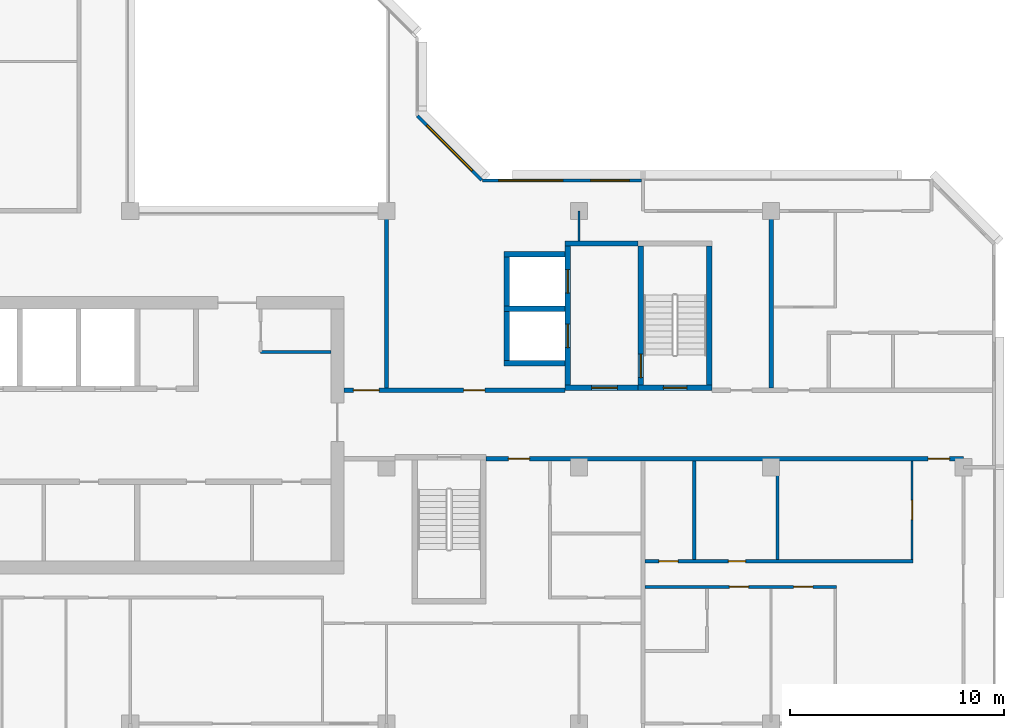
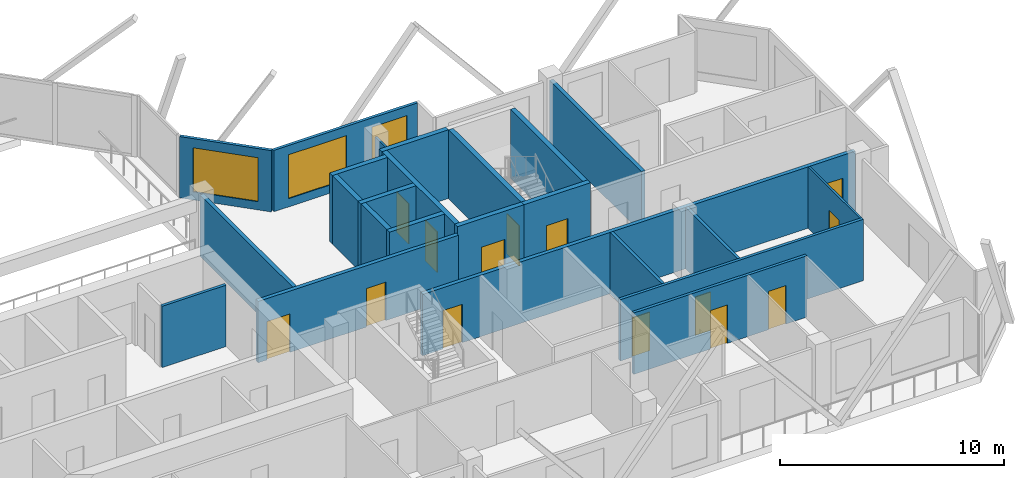
# One storey, part 7 of 13: 24 walls, 14 doors, 3 windows, 17 openings.
"""IFC4 building model written with IfcOpenShell, lengths in metres."""

from ifc_helpers import new_model, si_unit, direction, frame, frame_2d, origin, place, context, subcontext, project, spatial, rectangle, extrude, material, layer, layer_set, type_object, element, fill, save


model = new_model("IFC4")

# Units and contexts
model_context = context("Model", 3, precision=1e-05, world=origin(), true_north=direction((0.0, 1.0)))
body_context = subcontext(model_context, "Body", "Model", "MODEL_VIEW")
ifc_project = project(units=[si_unit("LENGTHUNIT", "METRE"), si_unit("AREAUNIT", "SQUARE_METRE"), si_unit("VOLUMEUNIT", "CUBIC_METRE"), si_unit("PLANEANGLEUNIT", "RADIAN"), si_unit("MASSUNIT", "GRAM", prefix="KILO")], contexts=[model_context])

# Site, building, storey
site_placement = place(None, origin())
site = spatial("IfcSite", under=ifc_project, at=site_placement, CompositionType="ELEMENT")
building_placement = place(site_placement, origin())
building = spatial("IfcBuilding", under=site, at=building_placement, Name="Chenar Terraces", CompositionType="ELEMENT")
storey_placement = place(building_placement, frame((0.0, 0.0, 303.39990234375)))
storey = spatial("IfcBuildingStorey", under=building, at=storey_placement, Name="L71", CompositionType="ELEMENT", Elevation=303.39990234375)

# Wall
ifc_material_1 = material(Name="Gypsum board on steel studs", Category="steel")
ifc_layer_1 = layer(ifc_material_1, 0.14990234375)
ifc_layer_set_1 = layer_set([ifc_layer_1], Name="Gypsum board on steel studs")
wall_type_1 = type_object("IfcWallType", Name="Core partition 150 gypsum board", PredefinedType="PARTITIONING", material=ifc_layer_set_1)
wall_1_placement = place(storey_placement, frame((30.10009765625, 17.39990234375, 0.0), z_axis=(0.0, 0.0, 1.0), x_axis=(1.0, 0.0, 0.0)))
element("IfcWall", 1, at=wall_1_placement, inside=storey, type_object=wall_type_1, Name="Core partition CP1 vestibule room south wall", PredefinedType="PARTITIONING", context=body_context, shape_type="SweptSolid", body=[
    extrude(rectangle(XDim=3.2998046875, YDim=0.14990234375, at=frame_2d((1.64990234375, 0.0))), origin(), (0.0, 0.0, 1.0), 3.35009765625),
])

# Wall, opening, door
ifc_material_2 = material(Name="Concrete C50/60", Category="concrete")
ifc_layer_2 = layer(ifc_material_2, 0.25)
ifc_layer_set_2 = layer_set([ifc_layer_2], Name="Concrete C50/60")
wall_type_2 = type_object("IfcWallType", Name="Core wall 250 Concrete C50/60", PredefinedType="SHEAR", material=ifc_layer_set_2)
wall_2_placement = place(storey_placement, frame((47.77490234375, 15.72509765625, 0.0), z_axis=(0.0, 0.0, 1.0), x_axis=(1.0, 0.0, 0.0)))
wall_2 = element("IfcWall", 2, at=wall_2_placement, inside=storey, type_object=wall_type_2, Name="Core wall ST3_S L71", PredefinedType="SHEAR", context=body_context, shape_type="SweptSolid", body=[
    extrude(rectangle(XDim=3.4501953125, YDim=0.25, at=frame_2d((1.72509765625, 0.0))), origin(), (0.0, 0.0, 1.0), 3.75),
])
opening_1_placement = place(wall_2_placement, frame((1.175048828125, 0.0, 0.0)))
opening_1 = element("IfcOpeningElement", 3, at=opening_1_placement, cuts=wall_2, Name="Opening DL71-C8", PredefinedType="OPENING", context=body_context, shape_type="SweptSolid", body=[
    extrude(rectangle(XDim=1.10009765625, YDim=2.199951171875, at=frame_2d((0.550048828125, 1.10009765625))), frame((0.0, 0.135009765625, 0.0), z_axis=(0.0, -1.0, 0.0), x_axis=(1.0, 0.0, 0.0)), (0.0, 0.0, 1.0), 0.27001953125),
])
ifc_material_3 = material(Name="Steel-framed fire-resisting door leaf", Category="steel")
door_type_1 = type_object("IfcDoorType", Name="Stair fire door FD60 1100 x 2200", OperationType="SINGLE_SWING_LEFT", PredefinedType="DOOR", material=ifc_material_3)
door_1_placement = place(opening_1_placement, frame((1.10009765625, 0.0, 0.0), z_axis=(0.0, 0.0, 1.0), x_axis=(-1.0, 0.0, 0.0)))
door_1 = element("IfcDoor", 4, at=door_1_placement, inside=storey, type_object=door_type_1, Name="Stair door DL71-C8", OperationType="SINGLE_SWING_LEFT", OverallHeight=2.199951171875, OverallWidth=1.10009765625, PredefinedType="DOOR", context=body_context, shape_type="SweptSolid", body=[
    extrude(rectangle(XDim=1.10009765625, YDim=2.199951171875, at=frame_2d((0.550048828125, 1.10009765625))), frame((0.0, 0.02490234375, 0.0), z_axis=(0.0, -1.0, 0.0), x_axis=(1.0, 0.0, 0.0)), (0.0, 0.0, 1.0), 0.050048828125),
])
fill(opening_1, door_1)

wall_3_placement = place(storey_placement, frame((47.89990234375, 15.85009765625, 0.0), z_axis=(0.0, 0.0, 1.0), x_axis=(0.0, 1.0, 0.0)))
wall_3 = element("IfcWall", 5, at=wall_3_placement, inside=storey, type_object=wall_type_2, Name="Core wall ST3_W L71", PredefinedType="SHEAR", context=body_context, shape_type="SweptSolid", body=[
    extrude(rectangle(XDim=6.5, YDim=0.25, at=frame_2d((3.25, 0.0))), origin(), (0.0, 0.0, 1.0), 3.75),
])
opening_2_placement = place(wall_3_placement, frame((0.35009765625, 0.0, 0.0)))
opening_2 = element("IfcOpeningElement", 6, at=opening_2_placement, cuts=wall_3, Name="Opening DL71-C11", PredefinedType="OPENING", context=body_context, shape_type="SweptSolid", body=[
    extrude(rectangle(XDim=1.10009765625, YDim=2.199951171875, at=frame_2d((0.550048828125, 1.10009765625))), frame((0.0, 0.135009765625, 0.0), z_axis=(0.0, -1.0, 0.0), x_axis=(1.0, 0.0, 0.0)), (0.0, 0.0, 1.0), 0.27001953125),
])
door_2_placement = place(opening_2_placement, frame((1.10009765625, 0.0, 0.0), z_axis=(0.0, 0.0, 1.0), x_axis=(-1.0, 0.0, 0.0)))
door_2 = element("IfcDoor", 7, at=door_2_placement, inside=storey, type_object=door_type_1, Name="Stair door DL71-C11", OperationType="SINGLE_SWING_RIGHT", OverallHeight=2.199951171875, OverallWidth=1.10009765625, PredefinedType="DOOR", context=body_context, shape_type="SweptSolid", body=[
    extrude(rectangle(XDim=1.10009765625, YDim=2.199951171875, at=frame_2d((0.550048828125, 1.10009765625))), frame((0.0, 0.02490234375, 0.0), z_axis=(0.0, -1.0, 0.0), x_axis=(1.0, 0.0, 0.0)), (0.0, 0.0, 1.0), 0.050048828125),
])
fill(opening_2, door_2)

# Wall
wall_4_placement = place(storey_placement, frame((51.10009765625, 15.85009765625, 0.0), z_axis=(0.0, 0.0, 1.0), x_axis=(0.0, 1.0, 0.0)))
element("IfcWall", 8, at=wall_4_placement, inside=storey, type_object=wall_type_2, Name="Core wall ST3_E L71", PredefinedType="SHEAR", context=body_context, shape_type="SweptSolid", body=[
    extrude(rectangle(XDim=6.5, YDim=0.25, at=frame_2d((3.25, 0.0))), origin(), (0.0, 0.0, 1.0), 3.75),
])

# Wall, opening, door
wall_5_placement = place(storey_placement, frame((44.35009765625, 15.72509765625, 0.0), z_axis=(0.0, 0.0, 1.0), x_axis=(1.0, 0.0, 0.0)))
wall_5 = element("IfcWall", 9, at=wall_5_placement, inside=storey, type_object=wall_type_2, Name="Core wall F3_LS L71", PredefinedType="SHEAR", context=body_context, shape_type="SweptSolid", body=[
    extrude(rectangle(XDim=3.4248046875, YDim=0.25, at=frame_2d((1.71240234375, 0.0))), origin(), (0.0, 0.0, 1.0), 3.75),
])
opening_3_placement = place(wall_5_placement, frame((1.25, 0.0, 0.0)))
opening_3 = element("IfcOpeningElement", 10, at=opening_3_placement, cuts=wall_5, Name="Opening DL71-C10", PredefinedType="OPENING", context=body_context, shape_type="SweptSolid", body=[
    extrude(rectangle(XDim=1.199951171875, YDim=2.199951171875, at=frame_2d((0.60009765625, 1.10009765625))), frame((0.0, 0.135009765625, 0.0), z_axis=(0.0, -1.0, 0.0), x_axis=(1.0, 0.0, 0.0)), (0.0, 0.0, 1.0), 0.27001953125),
])
ifc_material_4 = material(Name="Steel-framed fire-resisting door leaf", Category="steel")
door_type_2 = type_object("IfcDoorType", Name="Lobby fire door FD60 1200 x 2200", OperationType="SINGLE_SWING_LEFT", PredefinedType="DOOR", material=ifc_material_4)
door_3_placement = place(opening_3_placement, origin())
door_3 = element("IfcDoor", 11, at=door_3_placement, inside=storey, type_object=door_type_2, Name="Core door DL71-C10", OperationType="SINGLE_SWING_RIGHT", OverallHeight=2.199951171875, OverallWidth=1.199951171875, PredefinedType="DOOR", context=body_context, shape_type="SweptSolid", body=[
    extrude(rectangle(XDim=1.199951171875, YDim=2.199951171875, at=frame_2d((0.60009765625, 1.10009765625))), frame((0.0, 0.02490234375, 0.0), z_axis=(0.0, -1.0, 0.0), x_axis=(1.0, 0.0, 0.0)), (0.0, 0.0, 1.0), 0.050048828125),
])
fill(opening_3, door_3)

# Wall
wall_6_placement = place(storey_placement, frame((44.35009765625, 22.47509765625, 0.0), z_axis=(0.0, 0.0, 1.0), x_axis=(1.0, 0.0, 0.0)))
element("IfcWall", 12, at=wall_6_placement, inside=storey, type_object=wall_type_2, Name="Core wall F3_LN L71", PredefinedType="SHEAR", context=body_context, shape_type="SweptSolid", body=[
    extrude(rectangle(XDim=3.4248046875, YDim=0.25, at=frame_2d((1.71240234375, 0.0))), origin(), (0.0, 0.0, 1.0), 3.75),
])

# Wall, openings, doors
wall_7_placement = place(storey_placement, frame((44.47509765625, 15.85009765625, 0.0), z_axis=(0.0, 0.0, 1.0), x_axis=(0.0, 1.0, 0.0)))
wall_7 = element("IfcWall", 13, at=wall_7_placement, inside=storey, type_object=wall_type_2, Name="Core wall F3_LW L71", PredefinedType="SHEAR", context=body_context, shape_type="SweptSolid", body=[
    extrude(rectangle(XDim=6.5, YDim=0.25, at=frame_2d((3.25, 0.0))), origin(), (0.0, 0.0, 1.0), 3.75),
])
opening_4_placement = place(wall_7_placement, frame((1.75, 0.0, 0.0)))
opening_4 = element("IfcOpeningElement", 14, at=opening_4_placement, cuts=wall_7, Name="Opening DL71-LD8", PredefinedType="OPENING", context=body_context, shape_type="SweptSolid", body=[
    extrude(rectangle(XDim=1.10009765625, YDim=2.199951171875, at=frame_2d((0.550048828125, 1.10009765625))), frame((0.0, 0.135009765625, 0.0), z_axis=(0.0, -1.0, 0.0), x_axis=(1.0, 0.0, 0.0)), (0.0, 0.0, 1.0), 0.27001953125),
])
opening_5_placement = place(wall_7_placement, frame((4.300048828125, 0.0, 0.0)))
opening_5 = element("IfcOpeningElement", 15, at=opening_5_placement, cuts=wall_7, Name="Opening DL71-LD9", PredefinedType="OPENING", context=body_context, shape_type="SweptSolid", body=[
    extrude(rectangle(XDim=1.10009765625, YDim=2.199951171875, at=frame_2d((0.550048828125, 1.10009765625))), frame((0.0, 0.135009765625, 0.0), z_axis=(0.0, -1.0, 0.0), x_axis=(1.0, 0.0, 0.0)), (0.0, 0.0, 1.0), 0.27001953125),
])
ifc_material_5 = material(Name="Stainless steel", Category="steel")
door_type_3 = type_object("IfcDoorType", Name="Lift landing door 1100 x 2200 sliding", OperationType="DOUBLE_DOOR_SLIDING", PredefinedType="DOOR", material=ifc_material_5)
door_4_placement = place(opening_4_placement, origin())
door_4 = element("IfcDoor", 16, at=door_4_placement, inside=storey, type_object=door_type_3, Name="Landing door F3", OperationType="DOUBLE_DOOR_SLIDING", OverallHeight=2.199951171875, OverallWidth=1.10009765625, PredefinedType="DOOR", context=body_context, shape_type="SweptSolid", body=[
    extrude(rectangle(XDim=1.10009765625, YDim=2.199951171875, at=frame_2d((0.550048828125, 1.10009765625))), frame((0.0, 0.02490234375, 0.0), z_axis=(0.0, -1.0, 0.0), x_axis=(1.0, 0.0, 0.0)), (0.0, 0.0, 1.0), 0.050048828125),
])
fill(opening_4, door_4)
door_5_placement = place(opening_5_placement, origin())
door_5 = element("IfcDoor", 17, at=door_5_placement, inside=storey, type_object=door_type_3, Name="Landing door F4", OperationType="DOUBLE_DOOR_SLIDING", OverallHeight=2.199951171875, OverallWidth=1.10009765625, PredefinedType="DOOR", context=body_context, shape_type="SweptSolid", body=[
    extrude(rectangle(XDim=1.10009765625, YDim=2.199951171875, at=frame_2d((0.550048828125, 1.10009765625))), frame((0.0, 0.02490234375, 0.0), z_axis=(0.0, -1.0, 0.0), x_axis=(1.0, 0.0, 0.0)), (0.0, 0.0, 1.0), 0.050048828125),
])
fill(opening_5, door_5)

# Walls
for number, where, z_axis, x_axis, name in (
    (18, (41.5, 16.875, 0.0), (0.0, 0.0, 1.0), (1.0, 0.0, 0.0), "Core wall F3_SS L71"),
    (19, (41.5, 19.425048828125, 0.0), (0.0, 0.0, 1.0), (1.0, 0.0, 0.0), "Core wall F3_SM L71"),
    (20, (41.5, 21.97509765625, 0.0), (0.0, 0.0, 1.0), (1.0, 0.0, 0.0), "Core wall F4_SN L71"),
):
    element("IfcWall", number, at=place(storey_placement, frame(where, z_axis=z_axis, x_axis=x_axis)), inside=storey, type_object=wall_type_2, Name=name, PredefinedType="SHEAR", context=body_context, shape_type="SweptSolid", body=[
        extrude(rectangle(XDim=2.85009765625, YDim=0.25, at=frame_2d((1.425048828125, 0.0))), origin(), (0.0, 0.0, 1.0), 3.75),
    ])
for number, where, z_axis, x_axis, name in (
    (21, (41.625, 17.0, 0.0), (0.0, 0.0, 1.0), (0.0, 1.0, 0.0), "Core wall F3_SW L71"),
    (22, (41.625, 19.550048828125, 0.0), (0.0, 0.0, 1.0), (0.0, 1.0, 0.0), "Core wall F4_SW L71"),
):
    element("IfcWall", number, at=place(storey_placement, frame(where, z_axis=z_axis, x_axis=x_axis)), inside=storey, type_object=wall_type_2, Name=name, PredefinedType="SHEAR", context=body_context, shape_type="SweptSolid", body=[
        extrude(rectangle(XDim=2.300048828125, YDim=0.25, at=frame_2d((1.14990234375, 0.0))), origin(), (0.0, 0.0, 1.0), 3.75),
    ])

# Wall, openings, doors
ifc_material_6 = material(Name="Gypsum board on steel studs with fire boards", Category="steel")
ifc_layer_3 = layer(ifc_material_6, 0.199951171875)
ifc_layer_set_3 = layer_set([ifc_layer_3], Name="Gypsum board on steel studs with fire boards")
wall_type_3 = type_object("IfcWallType", Name="Corridor wall 200", PredefinedType="PARTITIONING", material=ifc_layer_set_3)
wall_8_placement = place(storey_placement, frame((34.0, 15.60009765625, 0.0), z_axis=(0.0, 0.0, 1.0), x_axis=(1.0, 0.0, 0.0)))
wall_8 = element("IfcWall", 23, at=wall_8_placement, inside=storey, type_object=wall_type_3, Name="Partition L71-052", PredefinedType="PARTITIONING", context=body_context, shape_type="SweptSolid", body=[
    extrude(rectangle(XDim=10.35009765625, YDim=0.199951171875, at=frame_2d((5.175048828125, 0.0))), origin(), (0.0, 0.0, 1.0), 3.35009765625),
])
opening_6_placement = place(wall_8_placement, frame((5.60009765625, 0.0, 0.0)))
opening_6 = element("IfcOpeningElement", 24, at=opening_6_placement, cuts=wall_8, Name="Opening DL71-3", PredefinedType="OPENING", context=body_context, shape_type="SweptSolid", body=[
    extrude(rectangle(XDim=1.0, YDim=2.10009765625, at=frame_2d((0.5, 1.050048828125))), frame((0.0, 0.10986328125, 0.0), z_axis=(0.0, -1.0, 0.0), x_axis=(1.0, 0.0, 0.0)), (0.0, 0.0, 1.0), 0.219970703125),
])
opening_7_placement = place(wall_8_placement, frame((0.449951171875, 0.0, 0.0)))
opening_7 = element("IfcOpeningElement", 25, at=opening_7_placement, cuts=wall_8, Name="Opening DL71-29", PredefinedType="OPENING", context=body_context, shape_type="SweptSolid", body=[
    extrude(rectangle(XDim=1.199951171875, YDim=2.10009765625, at=frame_2d((0.60009765625, 1.050048828125))), frame((0.0, 0.10986328125, 0.0), z_axis=(0.0, -1.0, 0.0), x_axis=(1.0, 0.0, 0.0)), (0.0, 0.0, 1.0), 0.219970703125),
])
ifc_material_7 = material(Name="Steel-framed fire-resisting door leaf", Category="steel")
door_type_4 = type_object("IfcDoorType", Name="Fire door FD60 1000 x 2100", OperationType="SINGLE_SWING_LEFT", PredefinedType="DOOR", material=ifc_material_7)
door_6_placement = place(opening_6_placement, origin())
door_6 = element("IfcDoor", 26, at=door_6_placement, inside=storey, type_object=door_type_4, Name="Door DL71-3", OperationType="SINGLE_SWING_RIGHT", OverallHeight=2.10009765625, OverallWidth=1.0, PredefinedType="DOOR", context=body_context, shape_type="SweptSolid", body=[
    extrude(rectangle(XDim=1.0, YDim=2.10009765625, at=frame_2d((0.5, 1.050048828125))), frame((0.0, 0.02490234375, 0.0), z_axis=(0.0, -1.0, 0.0), x_axis=(1.0, 0.0, 0.0)), (0.0, 0.0, 1.0), 0.050048828125),
])
fill(opening_6, door_6)
ifc_material_8 = material(Name="Steel-framed fire-resisting door leaf", Category="steel")
door_type_5 = type_object("IfcDoorType", Name="Fire door FD60 1200 x 2100", OperationType="SINGLE_SWING_LEFT", PredefinedType="DOOR", material=ifc_material_8)
door_7_placement = place(opening_7_placement, origin())
door_7 = element("IfcDoor", 27, at=door_7_placement, inside=storey, type_object=door_type_5, Name="Door DL71-29", OperationType="SINGLE_SWING_RIGHT", OverallHeight=2.10009765625, OverallWidth=1.199951171875, PredefinedType="DOOR", context=body_context, shape_type="SweptSolid", body=[
    extrude(rectangle(XDim=1.199951171875, YDim=2.10009765625, at=frame_2d((0.60009765625, 1.050048828125))), frame((0.0, 0.02490234375, 0.0), z_axis=(0.0, -1.0, 0.0), x_axis=(1.0, 0.0, 0.0)), (0.0, 0.0, 1.0), 0.050048828125),
])
fill(opening_7, door_7)

# Wall
wall_9_placement = place(storey_placement, frame((36.0, 15.699951171875, 0.0), z_axis=(0.0, 0.0, 1.0), x_axis=(0.0, 1.0, 0.0)))
element("IfcWall", 28, at=wall_9_placement, inside=storey, type_object=wall_type_3, Name="Partition L71-054", PredefinedType="PARTITIONING", context=body_context, shape_type="SweptSolid", body=[
    extrude(rectangle(XDim=8.300048828125, YDim=0.199951171875, at=frame_2d((4.14990234375, 0.0))), origin(), (0.0, 0.0, 1.0), 3.35009765625),
])

# Wall, openings, doors
wall_10_placement = place(storey_placement, frame((40.64990234375, 12.39990234375, 0.0), z_axis=(0.0, 0.0, 1.0), x_axis=(1.0, 0.0, 0.0)))
wall_10 = element("IfcWall", 29, at=wall_10_placement, inside=storey, type_object=wall_type_3, Name="Partition L71-055", PredefinedType="PARTITIONING", context=body_context, shape_type="SweptSolid", body=[
    extrude(rectangle(XDim=22.35009765625, YDim=0.199951171875, at=frame_2d((11.175048828125, 0.0))), origin(), (0.0, 0.0, 1.0), 3.35009765625),
])
opening_8_placement = place(wall_10_placement, frame((20.699951171875, 0.0, 0.0)))
opening_8 = element("IfcOpeningElement", 30, at=opening_8_placement, cuts=wall_10, Name="Opening DL71-13", PredefinedType="OPENING", context=body_context, shape_type="SweptSolid", body=[
    extrude(rectangle(XDim=1.0, YDim=2.10009765625, at=frame_2d((0.5, 1.050048828125))), frame((0.0, 0.10986328125, 0.0), z_axis=(0.0, -1.0, 0.0), x_axis=(1.0, 0.0, 0.0)), (0.0, 0.0, 1.0), 0.219970703125),
])
opening_9_placement = place(wall_10_placement, frame((1.050048828125, 0.0, 0.0)))
opening_9 = element("IfcOpeningElement", 31, at=opening_9_placement, cuts=wall_10, Name="Opening DL71-43", PredefinedType="OPENING", context=body_context, shape_type="SweptSolid", body=[
    extrude(rectangle(XDim=1.0, YDim=2.10009765625, at=frame_2d((0.5, 1.050048828125))), frame((0.0, 0.10986328125, 0.0), z_axis=(0.0, -1.0, 0.0), x_axis=(1.0, 0.0, 0.0)), (0.0, 0.0, 1.0), 0.219970703125),
])
ifc_material_9 = material(Name="Steel-framed fire-resisting door leaf", Category="steel")
door_type_6 = type_object("IfcDoorType", Name="Fire door FD30S 1000 x 2100", OperationType="SINGLE_SWING_LEFT", PredefinedType="DOOR", material=ifc_material_9)
door_8_placement = place(opening_8_placement, frame((1.0, 0.0, 0.0), z_axis=(0.0, 0.0, 1.0), x_axis=(-1.0, 0.0, 0.0)))
door_8 = element("IfcDoor", 32, at=door_8_placement, inside=storey, type_object=door_type_6, Name="Door DL71-13", OperationType="SINGLE_SWING_LEFT", OverallHeight=2.10009765625, OverallWidth=1.0, PredefinedType="DOOR", context=body_context, shape_type="SweptSolid", body=[
    extrude(rectangle(XDim=1.0, YDim=2.10009765625, at=frame_2d((0.5, 1.050048828125))), frame((0.0, 0.02490234375, 0.0), z_axis=(0.0, -1.0, 0.0), x_axis=(1.0, 0.0, 0.0)), (0.0, 0.0, 1.0), 0.050048828125),
])
fill(opening_8, door_8)
door_9_placement = place(opening_9_placement, origin())
door_9 = element("IfcDoor", 33, at=door_9_placement, inside=storey, type_object=door_type_6, Name="Door DL71-43", OperationType="SINGLE_SWING_LEFT", OverallHeight=2.10009765625, OverallWidth=1.0, PredefinedType="DOOR", context=body_context, shape_type="SweptSolid", body=[
    extrude(rectangle(XDim=1.0, YDim=2.10009765625, at=frame_2d((0.5, 1.050048828125))), frame((0.0, 0.02490234375, 0.0), z_axis=(0.0, -1.0, 0.0), x_axis=(1.0, 0.0, 0.0)), (0.0, 0.0, 1.0), 0.050048828125),
])
fill(opening_9, door_9)

# Wall, openings, windows
ifc_material_10 = material(Name="Aluminium framed glazing", Category="aluminium")
ifc_layer_4 = layer(ifc_material_10, 0.14990234375)
ifc_layer_set_4 = layer_set([ifc_layer_4], Name="Aluminium framed glazing")
wall_type_4 = type_object("IfcWallType", Name="Glazed flush facade wall 150", PredefinedType="SOLIDWALL", material=ifc_layer_set_4)
wall_11_placement = place(storey_placement, frame((47.925048828125, 25.425048828125, 0.0), z_axis=(0.0, 0.0, 1.0), x_axis=(-1.0, 0.0, 0.0)))
wall_11 = element("IfcWall", 34, at=wall_11_placement, inside=storey, type_object=wall_type_4, Name="Glazed flush facade wall", PredefinedType="SOLIDWALL", context=body_context, shape_type="SweptSolid", body=[
    extrude(rectangle(XDim=7.425048828125, YDim=0.14990234375, at=frame_2d((3.71240234375, 0.0))), origin(), (0.0, 0.0, 1.0), 3.35009765625),
])
opening_10_placement = place(wall_11_placement, frame((0.5625, 0.0, 0.449951171875)))
opening_10 = element("IfcOpeningElement", 35, at=opening_10_placement, cuts=wall_11, Name="Opening W180x240", PredefinedType="OPENING", context=body_context, shape_type="SweptSolid", body=[
    extrude(rectangle(XDim=1.800048828125, YDim=2.39990234375, at=frame_2d((0.89990234375, 1.199951171875))), frame((0.0, 0.0849609375, 0.0), z_axis=(0.0, -1.0, 0.0), x_axis=(1.0, 0.0, 0.0)), (0.0, 0.0, 1.0), 0.169921875),
])
opening_11_placement = place(wall_11_placement, frame((3.675048828125, 0.0, 0.449951171875)))
opening_11 = element("IfcOpeningElement", 36, at=opening_11_placement, cuts=wall_11, Name="Opening W300x240", PredefinedType="OPENING", context=body_context, shape_type="SweptSolid", body=[
    extrude(rectangle(XDim=3.0, YDim=2.39990234375, at=frame_2d((1.5, 1.199951171875))), frame((0.0, 0.0849609375, 0.0), z_axis=(0.0, -1.0, 0.0), x_axis=(1.0, 0.0, 0.0)), (0.0, 0.0, 1.0), 0.169921875),
])
ifc_material_11 = material(Name="Low emissivity double glazing, aluminium frame", Category="aluminium")
window_type_1 = type_object("IfcWindowType", Name="Fixed light 1800 x 2400", PartitioningType="SINGLE_PANEL", PredefinedType="WINDOW", material=ifc_material_11)
window_1_placement = place(opening_10_placement, origin())
window_1 = element("IfcWindow", 37, at=window_1_placement, inside=storey, type_object=window_type_1, Name="Window", OverallHeight=2.39990234375, OverallWidth=1.800048828125, PartitioningType="SINGLE_PANEL", PredefinedType="WINDOW", context=body_context, shape_type="SweptSolid", body=[
    extrude(rectangle(XDim=1.800048828125, YDim=2.39990234375, at=frame_2d((0.89990234375, 1.199951171875))), frame((0.0, 0.030029296875, 0.0), z_axis=(0.0, -1.0, 0.0), x_axis=(1.0, 0.0, 0.0)), (0.0, 0.0, 1.0), 0.06005859375),
])
fill(opening_10, window_1)
ifc_material_12 = material(Name="Low emissivity double glazing, aluminium frame", Category="aluminium")
window_type_2 = type_object("IfcWindowType", Name="Fixed light 3000 x 2400", PartitioningType="SINGLE_PANEL", PredefinedType="WINDOW", material=ifc_material_12)
window_2_placement = place(opening_11_placement, origin())
window_2 = element("IfcWindow", 38, at=window_2_placement, inside=storey, type_object=window_type_2, Name="Window", OverallHeight=2.39990234375, OverallWidth=3.0, PartitioningType="SINGLE_PANEL", PredefinedType="WINDOW", context=body_context, shape_type="SweptSolid", body=[
    extrude(rectangle(XDim=3.0, YDim=2.39990234375, at=frame_2d((1.5, 1.199951171875))), frame((0.0, 0.030029296875, 0.0), z_axis=(0.0, -1.0, 0.0), x_axis=(1.0, 0.0, 0.0)), (0.0, 0.0, 1.0), 0.06005859375),
])
fill(opening_11, window_2)

# Wall
ifc_material_13 = material(Name="Gypsum board on steel studs", Category="steel")
ifc_layer_5 = layer(ifc_material_13, 0.10009765625)
ifc_layer_set_5 = layer_set([ifc_layer_5], Name="Gypsum board on steel studs")
wall_type_5 = type_object("IfcWallType", Name="Gypsum partition 100", PredefinedType="PARTITIONING", material=ifc_layer_set_5)
wall_12_placement = place(storey_placement, frame((45.0, 22.60009765625, 0.0), z_axis=(0.0, 0.0, 1.0), x_axis=(0.0, 1.0, 0.0)))
element("IfcWall", 39, at=wall_12_placement, inside=storey, type_object=wall_type_5, Name="Partition L71-060", PredefinedType="PARTITIONING", context=body_context, shape_type="SweptSolid", body=[
    extrude(rectangle(XDim=1.39990234375, YDim=0.10009765625, at=frame_2d((0.699951171875, 0.0))), origin(), (0.0, 0.0, 1.0), 3.35009765625),
])

# Wall, opening, door
wall_13_placement = place(storey_placement, frame((60.60009765625, 7.675048828125, 0.0), z_axis=(0.0, 0.0, 1.0), x_axis=(0.0, 1.0, 0.0)))
wall_13 = element("IfcWall", 40, at=wall_13_placement, inside=storey, type_object=wall_type_5, Name="Partition L71-077", PredefinedType="PARTITIONING", context=body_context, shape_type="SweptSolid", body=[
    extrude(rectangle(XDim=4.625, YDim=0.10009765625, at=frame_2d((2.3125, 0.0))), origin(), (0.0, 0.0, 1.0), 3.35009765625),
])
opening_12_placement = place(wall_13_placement, frame((1.875, 0.0, 0.0)))
opening_12 = element("IfcOpeningElement", 41, at=opening_12_placement, cuts=wall_13, Name="Opening DL71-12", PredefinedType="OPENING", context=body_context, shape_type="SweptSolid", body=[
    extrude(rectangle(XDim=0.89990234375, YDim=2.10009765625, at=frame_2d((0.449951171875, 1.050048828125))), frame((0.0, 0.06005859375, 0.0), z_axis=(0.0, -1.0, 0.0), x_axis=(1.0, 0.0, 0.0)), (0.0, 0.0, 1.0), 0.1201171875),
])
ifc_material_14 = material(Name="Veneered timber door leaf", Category="wood")
door_type_7 = type_object("IfcDoorType", Name="Door 900 x 2100", OperationType="SINGLE_SWING_LEFT", PredefinedType="DOOR", material=ifc_material_14)
door_10_placement = place(opening_12_placement, origin())
door_10 = element("IfcDoor", 42, at=door_10_placement, inside=storey, type_object=door_type_7, Name="Door DL71-12", OperationType="SINGLE_SWING_LEFT", OverallHeight=2.10009765625, OverallWidth=0.89990234375, PredefinedType="DOOR", context=body_context, shape_type="SweptSolid", body=[
    extrude(rectangle(XDim=0.89990234375, YDim=2.10009765625, at=frame_2d((0.449951171875, 1.050048828125))), frame((0.0, 0.02490234375, 0.0), z_axis=(0.0, -1.0, 0.0), x_axis=(1.0, 0.0, 0.0)), (0.0, 0.0, 1.0), 0.050048828125),
])
fill(opening_12, door_10)

# Wall, opening, window
ifc_material_15 = material(Name="Terracotta cladding on insulated backing", Category="masonry")
ifc_layer_6 = layer(ifc_material_15, 0.14990234375)
ifc_layer_set_6 = layer_set([ifc_layer_6], Name="Terracotta cladding on insulated backing")
wall_type_6 = type_object("IfcWallType", Name="Terracotta rainscreen wall 150", PredefinedType="SOLIDWALL", material=ifc_layer_set_6)
wall_14_placement = place(storey_placement, frame((40.447021484375, 25.447021484375, 0.0), z_axis=(0.0, 0.0, 1.0), x_axis=(-0.707106781187, 0.707106781187, 0.0)))
wall_14 = element("IfcWall", 43, at=wall_14_placement, inside=storey, type_object=wall_type_6, Name="Terracotta rainscreen wall", PredefinedType="SOLIDWALL", context=body_context, shape_type="SweptSolid", body=[
    extrude(rectangle(XDim=4.24267578125, YDim=0.14990234375, at=frame_2d((2.121337890625, 0.0))), origin(), (0.0, 0.0, 1.0), 3.35009765625),
])
opening_13_placement = place(wall_14_placement, frame((0.621337890625, 0.0, 0.449951171875)))
opening_13 = element("IfcOpeningElement", 44, at=opening_13_placement, cuts=wall_14, Name="Opening W300x240", PredefinedType="OPENING", context=body_context, shape_type="SweptSolid", body=[
    extrude(rectangle(XDim=3.0, YDim=2.39990234375, at=frame_2d((1.5, 1.199951171875))), frame((0.0, 0.0849609375, 0.0), z_axis=(0.0, -1.0, 0.0), x_axis=(1.0, 0.0, 0.0)), (0.0, 0.0, 1.0), 0.169921875),
])
window_3_placement = place(opening_13_placement, origin())
window_3 = element("IfcWindow", 45, at=window_3_placement, inside=storey, type_object=window_type_2, Name="Window", OverallHeight=2.39990234375, OverallWidth=3.0, PartitioningType="SINGLE_PANEL", PredefinedType="WINDOW", context=body_context, shape_type="SweptSolid", body=[
    extrude(rectangle(XDim=3.0, YDim=2.39990234375, at=frame_2d((1.5, 1.199951171875))), frame((0.0, 0.030029296875, 0.0), z_axis=(0.0, -1.0, 0.0), x_axis=(1.0, 0.0, 0.0)), (0.0, 0.0, 1.0), 0.06005859375),
])
fill(opening_13, window_3)

# Wall
ifc_material_16 = material(Name="Twin gypsum board on steel studs with mineral wool", Category="steel")
ifc_layer_7 = layer(ifc_material_16, 0.199951171875)
ifc_layer_set_7 = layer_set([ifc_layer_7], Name="Twin gypsum board on steel studs with mineral wool")
wall_type_7 = type_object("IfcWallType", Name="Unit demising wall 200", PredefinedType="PARTITIONING", material=ifc_layer_set_7)
wall_15_placement = place(storey_placement, frame((54.0, 15.699951171875, 0.0), z_axis=(0.0, 0.0, 1.0), x_axis=(0.0, 1.0, 0.0)))
element("IfcWall", 46, at=wall_15_placement, inside=storey, type_object=wall_type_7, Name="Partition L71-069", PredefinedType="PARTITIONING", context=body_context, shape_type="SweptSolid", body=[
    extrude(rectangle(XDim=8.22607421875, YDim=0.199951171875, at=frame_2d((4.113037109375, 0.0))), origin(), (0.0, 0.0, 1.0), 3.35009765625),
])

# Wall, openings, doors
ifc_material_17 = material(Name="Moisture-resistant gypsum board on steel studs", Category="steel")
ifc_layer_8 = layer(ifc_material_17, 0.14990234375)
ifc_layer_set_8 = layer_set([ifc_layer_8], Name="Moisture-resistant gypsum board on steel studs")
wall_type_8 = type_object("IfcWallType", Name="Wet-room partition 150", PredefinedType="PARTITIONING", material=ifc_layer_set_8)
wall_16_placement = place(storey_placement, frame((48.10009765625, 6.39990234375, 0.0), z_axis=(0.0, 0.0, 1.0), x_axis=(1.0, 0.0, 0.0)))
wall_16 = element("IfcWall", 47, at=wall_16_placement, inside=storey, type_object=wall_type_8, Name="Partition L71-063", PredefinedType="PARTITIONING", context=body_context, shape_type="SweptSolid", body=[
    extrude(rectangle(XDim=8.949951171875, YDim=0.14990234375, at=frame_2d((4.47509765625, 0.0))), origin(), (0.0, 0.0, 1.0), 3.35009765625),
])
opening_14_placement = place(wall_16_placement, frame((6.949951171875, 0.0, 0.0)))
opening_14 = element("IfcOpeningElement", 48, at=opening_14_placement, cuts=wall_16, Name="Opening DL71-9", PredefinedType="OPENING", context=body_context, shape_type="SweptSolid", body=[
    extrude(rectangle(XDim=0.89990234375, YDim=2.10009765625, at=frame_2d((0.449951171875, 1.050048828125))), frame((0.0, 0.0849609375, 0.0), z_axis=(0.0, -1.0, 0.0), x_axis=(1.0, 0.0, 0.0)), (0.0, 0.0, 1.0), 0.169921875),
])
opening_15_placement = place(wall_16_placement, frame((3.949951171875, 0.0, 0.0)))
opening_15 = element("IfcOpeningElement", 49, at=opening_15_placement, cuts=wall_16, Name="Opening DL71-10", PredefinedType="OPENING", context=body_context, shape_type="SweptSolid", body=[
    extrude(rectangle(XDim=0.89990234375, YDim=2.10009765625, at=frame_2d((0.449951171875, 1.050048828125))), frame((0.0, 0.0849609375, 0.0), z_axis=(0.0, -1.0, 0.0), x_axis=(1.0, 0.0, 0.0)), (0.0, 0.0, 1.0), 0.169921875),
])
door_11_placement = place(opening_14_placement, frame((0.89990234375, 0.0, 0.0), z_axis=(0.0, 0.0, 1.0), x_axis=(-1.0, 0.0, 0.0)))
door_11 = element("IfcDoor", 50, at=door_11_placement, inside=storey, type_object=door_type_7, Name="Door DL71-9", OperationType="SINGLE_SWING_LEFT", OverallHeight=2.10009765625, OverallWidth=0.89990234375, PredefinedType="DOOR", context=body_context, shape_type="SweptSolid", body=[
    extrude(rectangle(XDim=0.89990234375, YDim=2.10009765625, at=frame_2d((0.449951171875, 1.050048828125))), frame((0.0, 0.02490234375, 0.0), z_axis=(0.0, -1.0, 0.0), x_axis=(1.0, 0.0, 0.0)), (0.0, 0.0, 1.0), 0.050048828125),
])
fill(opening_14, door_11)
door_12_placement = place(opening_15_placement, frame((0.89990234375, 0.0, 0.0), z_axis=(0.0, 0.0, 1.0), x_axis=(-1.0, 0.0, 0.0)))
door_12 = element("IfcDoor", 51, at=door_12_placement, inside=storey, type_object=door_type_7, Name="Door DL71-10", OperationType="SINGLE_SWING_LEFT", OverallHeight=2.10009765625, OverallWidth=0.89990234375, PredefinedType="DOOR", context=body_context, shape_type="SweptSolid", body=[
    extrude(rectangle(XDim=0.89990234375, YDim=2.10009765625, at=frame_2d((0.449951171875, 1.050048828125))), frame((0.0, 0.02490234375, 0.0), z_axis=(0.0, -1.0, 0.0), x_axis=(1.0, 0.0, 0.0)), (0.0, 0.0, 1.0), 0.050048828125),
])
fill(opening_15, door_12)

wall_17_placement = place(storey_placement, frame((48.10009765625, 7.60009765625, 0.0), z_axis=(0.0, 0.0, 1.0), x_axis=(1.0, 0.0, 0.0)))
wall_17 = element("IfcWall", 52, at=wall_17_placement, inside=storey, type_object=wall_type_8, Name="Partition L71-064", PredefinedType="PARTITIONING", context=body_context, shape_type="SweptSolid", body=[
    extrude(rectangle(XDim=12.5498046875, YDim=0.14990234375, at=frame_2d((6.27490234375, 0.0))), origin(), (0.0, 0.0, 1.0), 3.35009765625),
])
opening_16_placement = place(wall_17_placement, frame((3.89990234375, 0.0, 0.0)))
opening_16 = element("IfcOpeningElement", 53, at=opening_16_placement, cuts=wall_17, Name="Opening DL71-8", PredefinedType="OPENING", context=body_context, shape_type="SweptSolid", body=[
    extrude(rectangle(XDim=0.800048828125, YDim=2.10009765625, at=frame_2d((0.39990234375, 1.050048828125))), frame((0.0, 0.0849609375, 0.0), z_axis=(0.0, -1.0, 0.0), x_axis=(1.0, 0.0, 0.0)), (0.0, 0.0, 1.0), 0.169921875),
])
opening_17_placement = place(wall_17_placement, frame((0.64990234375, 0.0, 0.0)))
opening_17 = element("IfcOpeningElement", 54, at=opening_17_placement, cuts=wall_17, Name="Opening DL71-14", PredefinedType="OPENING", context=body_context, shape_type="SweptSolid", body=[
    extrude(rectangle(XDim=0.89990234375, YDim=2.10009765625, at=frame_2d((0.449951171875, 1.050048828125))), frame((0.0, 0.0849609375, 0.0), z_axis=(0.0, -1.0, 0.0), x_axis=(1.0, 0.0, 0.0)), (0.0, 0.0, 1.0), 0.169921875),
])
ifc_material_18 = material(Name="Veneered timber door leaf", Category="wood")
door_type_8 = type_object("IfcDoorType", Name="Door 800 x 2100", OperationType="SINGLE_SWING_LEFT", PredefinedType="DOOR", material=ifc_material_18)
door_13_placement = place(opening_16_placement, origin())
door_13 = element("IfcDoor", 55, at=door_13_placement, inside=storey, type_object=door_type_8, Name="Door DL71-8", OperationType="SINGLE_SWING_RIGHT", OverallHeight=2.10009765625, OverallWidth=0.800048828125, PredefinedType="DOOR", context=body_context, shape_type="SweptSolid", body=[
    extrude(rectangle(XDim=0.800048828125, YDim=2.10009765625, at=frame_2d((0.39990234375, 1.050048828125))), frame((0.0, 0.02490234375, 0.0), z_axis=(0.0, -1.0, 0.0), x_axis=(1.0, 0.0, 0.0)), (0.0, 0.0, 1.0), 0.050048828125),
])
fill(opening_16, door_13)
door_14_placement = place(opening_17_placement, origin())
door_14 = element("IfcDoor", 56, at=door_14_placement, inside=storey, type_object=door_type_7, Name="Door DL71-14", OperationType="SINGLE_SWING_RIGHT", OverallHeight=2.10009765625, OverallWidth=0.89990234375, PredefinedType="DOOR", context=body_context, shape_type="SweptSolid", body=[
    extrude(rectangle(XDim=0.89990234375, YDim=2.10009765625, at=frame_2d((0.449951171875, 1.050048828125))), frame((0.0, 0.02490234375, 0.0), z_axis=(0.0, -1.0, 0.0), x_axis=(1.0, 0.0, 0.0)), (0.0, 0.0, 1.0), 0.050048828125),
])
fill(opening_17, door_14)

# Walls
for number, where, z_axis, x_axis, name in (
    (57, (50.39990234375, 7.675048828125, 0.0), (0.0, 0.0, 1.0), (0.0, 1.0, 0.0), "Partition L71-065"),
    (58, (54.300048828125, 7.675048828125, 0.0), (0.0, 0.0, 1.0), (0.0, 1.0, 0.0), "Partition L71-071"),
):
    element("IfcWall", number, at=place(storey_placement, frame(where, z_axis=z_axis, x_axis=x_axis)), inside=storey, type_object=wall_type_8, Name=name, PredefinedType="PARTITIONING", context=body_context, shape_type="SweptSolid", body=[
        extrude(rectangle(XDim=4.625, YDim=0.14990234375, at=frame_2d((2.3125, 0.0))), origin(), (0.0, 0.0, 1.0), 3.35009765625),
    ])

save(model, "model.ifc")
